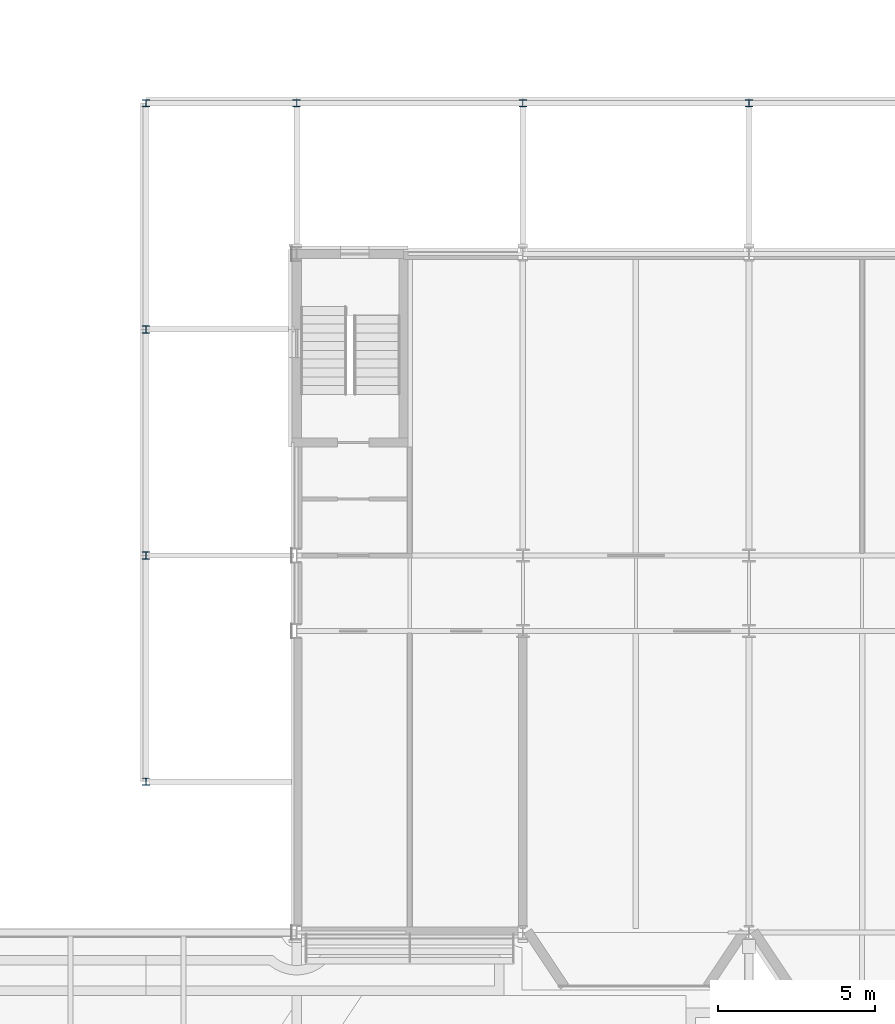
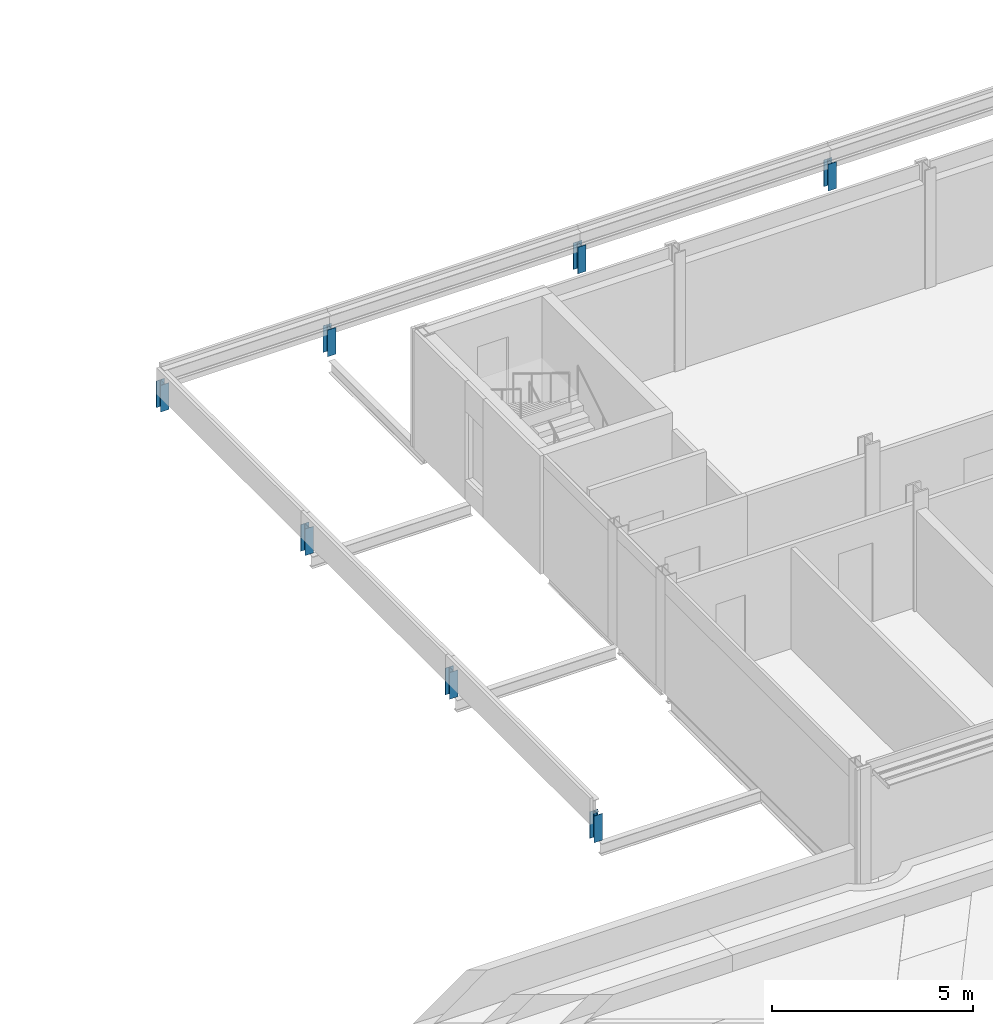
# One storey, part 18 of 110: 7 columns.
"""IFC4 building model written with IfcOpenShell, lengths in metres."""

import ifcopenshell
import ifcopenshell.guid

model = None  # the IFC model being written
_history = None  # IfcOwnerHistory: only IFC2X3 demands one
_inside = {}  # id of a spatial element -> (the spatial element, [elements in it])
_under = {}  # id of a project, library or spatial element -> (it, [spatial elements below it])
_declared = {}  # id of a project -> (the project, [libraries it declares])
_typed = {}  # id of a type object -> (the type object, [elements of that type])
_made_of = {}  # id of a material, layer set ... -> (it, [elements and type objects made of it])


def new_model(schema):
    """Start an empty IFC model of exactly this schema.

    Asked for "IFC4X3", IfcOpenShell would pick the latest addendum, in which some entities
    have other attributes; the version numbers below select the first issue.
    IFC2X3 requires an IfcOwnerHistory on every rooted entity: one is made here for all.
    """
    global model, _history
    if schema == "IFC4X3":
        model = ifcopenshell.file(schema_version=(4, 3, 0, 0))
    else:
        model = ifcopenshell.file(schema=schema)
    _inside.clear()
    _under.clear()
    _declared.clear()
    _typed.clear()
    _made_of.clear()
    _history = None
    if model.schema == "IFC2X3":
        org = make("IfcOrganization", Name="unknown")
        user = make(
            "IfcPersonAndOrganization",
            ThePerson=make("IfcPerson", FamilyName="unknown"),
            TheOrganization=org,
        )
        app = make(
            "IfcApplication",
            ApplicationDeveloper=org,
            Version="unknown",
            ApplicationFullName="unknown",
            ApplicationIdentifier="unknown",
        )
        _history = make(
            "IfcOwnerHistory",
            OwningUser=user,
            OwningApplication=app,
            ChangeAction="ADDED",
            CreationDate=0,
        )
    return model


def make(cls, **values):
    """One entity of the class cls with the attributes given. An attribute that is None is left unset."""
    return model.create_entity(
        cls, **{name: value for name, value in values.items() if value is not None}
    )


def rooted(cls, **values):
    """An entity with a GlobalId (a new one), such as an element, a storey or a relation."""
    return make(cls, GlobalId=ifcopenshell.guid.new(), OwnerHistory=_history, **values)


def si_unit(unit_type, name, prefix=None):
    """IfcSIUnit, for example si_unit("LENGTHUNIT", "METRE", prefix="MILLI")."""
    return make("IfcSIUnit", UnitType=unit_type, Prefix=prefix, Name=name)


def assignment(units):
    """IfcUnitAssignment: the units of a project."""
    return None if units is None else make("IfcUnitAssignment", Units=units)


def point(xyz):
    """IfcCartesianPoint."""
    return None if xyz is None else make("IfcCartesianPoint", Coordinates=xyz)


def direction(xyz):
    """IfcDirection."""
    return None if xyz is None else make("IfcDirection", DirectionRatios=xyz)


def frame(location, z_axis=None, x_axis=None):
    """IfcAxis2Placement3D, a coordinate frame: its origin and axes. An axis left out is left unset."""
    return make(
        "IfcAxis2Placement3D",
        Location=point(location),
        Axis=direction(z_axis),
        RefDirection=direction(x_axis),
    )


def frame_2d(location, x_axis=None):
    """IfcAxis2Placement2D, a coordinate frame in the plane: its origin and x axis."""
    return make(
        "IfcAxis2Placement2D", Location=point(location), RefDirection=direction(x_axis)
    )


def origin():
    """The frame at (0, 0, 0) with its axes left unset."""
    return frame((0.0, 0.0, 0.0))


def origin_2d():
    """The frame at (0, 0) in the plane with its x axis left unset."""
    return frame_2d((0.0, 0.0))


def place(relative_to, where):
    """IfcLocalPlacement: puts the frame where relative to a parent placement (None: the world)."""
    return make(
        "IfcLocalPlacement", PlacementRelTo=relative_to, RelativePlacement=where
    )


def context(
    kind, dimensions, precision=None, world=None, true_north=None, identifier=None
):
    """IfcGeometricRepresentationContext, for example the 3D "Model" context."""
    return make(
        "IfcGeometricRepresentationContext",
        ContextIdentifier=identifier,
        ContextType=kind,
        CoordinateSpaceDimension=dimensions,
        Precision=precision,
        WorldCoordinateSystem=world,
        TrueNorth=true_north,
    )


def subcontext(parent, identifier, kind, view, scale=None):
    """IfcGeometricRepresentationSubContext, for example "Body" below "Model"."""
    return make(
        "IfcGeometricRepresentationSubContext",
        ContextIdentifier=identifier,
        ContextType=kind,
        ParentContext=parent,
        TargetScale=scale,
        TargetView=view,
    )


def project(units=None, contexts=None):
    """IfcProject with its units and contexts."""
    return rooted(
        "IfcProject",
        Name="project",
        RepresentationContexts=contexts,
        UnitsInContext=assignment(units),
    )


def spatial(cls, under=None, at=None, **own):
    """A site, building, storey or space (cls), placed at a placement, below another one or the project."""
    s = rooted(cls, ObjectPlacement=at, **own)
    if under is not None:
        _under.setdefault(under.id(), (under, []))[1].append(s)
    return s


def profile(cls, at=None, kind="AREA", **sizes):
    """A parametric profile (cls). Its sizes go by their IFC names, for example OverallWidth=200.0."""
    return make(cls, ProfileType=kind, Position=at, **sizes)


def i_section(**sizes):
    """IfcIShapeProfileDef."""
    return profile("IfcIShapeProfileDef", **sizes)


def extrude(swept, where, along, depth):
    """IfcExtrudedAreaSolid: the profile swept, set in the frame where, extruded along a direction by depth."""
    return make(
        "IfcExtrudedAreaSolid",
        SweptArea=swept,
        Position=where,
        ExtrudedDirection=direction(along),
        Depth=depth,
    )


def shape(context_of_items, identifier, shape_type, items):
    """IfcShapeRepresentation: the items that make up one representation, for example the "Body"."""
    return make(
        "IfcShapeRepresentation",
        ContextOfItems=context_of_items,
        RepresentationIdentifier=identifier,
        RepresentationType=shape_type,
        Items=items,
    )


def material(Name=None, Category=None):
    """IfcMaterial."""
    return make("IfcMaterial", Name=Name, Category=Category)


def material_profile(
    of_material, cross_section, Name=None, Category=None, Priority=None
):
    """IfcMaterialProfile: a cross section and its material."""
    return make(
        "IfcMaterialProfile",
        Name=Name,
        Material=of_material,
        Profile=cross_section,
        Priority=Priority,
        Category=Category,
    )


def profile_set(profiles, Name=None, composite=None):
    """IfcMaterialProfileSet."""
    return make(
        "IfcMaterialProfileSet",
        Name=Name,
        MaterialProfiles=profiles,
        CompositeProfile=composite,
    )


def made_of(thing, what):
    """Note that an element or type object is made of a material, layer set ...; save() writes the relation."""
    if what is not None:
        _made_of.setdefault(what.id(), (what, []))[1].append(thing)
    return thing


def type_object(cls, material=None, **own):
    """A type object (cls), such as IfcWallType, which elements share."""
    return made_of(rooted(cls, **own), material)


def element(
    cls,
    number,
    at=None,
    inside=None,
    cuts=None,
    type_object=None,
    material=None,
    context=None,
    identifier="Body",
    shape_type=None,
    held_by="IfcProductDefinitionShape",
    body=None,
    shapes=None,
    **own,
):
    """One element of the class cls, such as IfcWall. Its Tag is "e" and its number.

    at: its placement. inside: the storey or other place that contains it. cuts: it is an
    opening in that element (IfcRelVoidsElement). A single representation is given by context,
    identifier, shape_type and body (its items); several are given by shapes. held_by: the class
    of the entity that holds the representations. save() writes the other relations.
    """
    e = rooted(cls, Tag="e%d" % number, ObjectPlacement=at, **own)
    if body is not None:
        shapes = [shape(context, identifier, shape_type, body)]
    if shapes is not None:
        e.Representation = make(held_by, Representations=shapes)
    if inside is not None:
        _inside.setdefault(inside.id(), (inside, []))[1].append(e)
    if cuts is not None:
        rooted(
            "IfcRelVoidsElement", RelatingBuildingElement=cuts, RelatedOpeningElement=e
        )
    if type_object is not None:
        _typed.setdefault(type_object.id(), (type_object, []))[1].append(e)
    return made_of(e, material)


def aggregate(whole, parts):
    """IfcRelAggregates: a whole, such as a stair, and the parts it consists of."""
    return rooted("IfcRelAggregates", RelatingObject=whole, RelatedObjects=parts)


def save(model, path):
    """Write the relations noted so far, then the file.

    IfcRelAggregates (storeys below a building ...), IfcRelContainedInSpatialStructure (elements
    in a storey), IfcRelDefinesByType, IfcRelAssociatesMaterial and IfcRelDeclares: one each for
    every whole, place, type object, material and project.
    """
    for whole, parts in _under.values():
        aggregate(whole, parts)
    for where, things in _inside.values():
        rooted(
            "IfcRelContainedInSpatialStructure",
            RelatedElements=things,
            RelatingStructure=where,
        )
    for kind, things in _typed.values():
        rooted("IfcRelDefinesByType", RelatedObjects=things, RelatingType=kind)
    for what, things in _made_of.values():
        rooted("IfcRelAssociatesMaterial", RelatedObjects=things, RelatingMaterial=what)
    for by, libraries in _declared.values():
        rooted("IfcRelDeclares", RelatingContext=by, RelatedDefinitions=libraries)
    model.write(path)


model = new_model("IFC4")

# Units and contexts
model_context = context("Model", 3, precision=1e-05, world=origin(), true_north=direction((0.0, 1.0)))
body_context = subcontext(model_context, "Body", "Model", "MODEL_VIEW")
ifc_project = project(units=[si_unit("LENGTHUNIT", "METRE"), si_unit("AREAUNIT", "SQUARE_METRE"), si_unit("VOLUMEUNIT", "CUBIC_METRE"), si_unit("PLANEANGLEUNIT", "RADIAN"), si_unit("MASSUNIT", "GRAM", prefix="KILO")], contexts=[model_context])

# Site, building, storey
site_placement = place(None, origin())
site = spatial("IfcSite", under=ifc_project, at=site_placement, CompositionType="ELEMENT")
building_placement = place(site_placement, origin())
building = spatial("IfcBuilding", under=site, at=building_placement, Name="Kupolbacken Congress Centre", CompositionType="ELEMENT")
storey_placement = place(building_placement, frame((0.0, 0.0, 18.0)))
storey = spatial("IfcBuildingStorey", under=building, at=storey_placement, Name="L05", CompositionType="ELEMENT", Elevation=18.0)

# Columns
ifc_material = material(Name="Steel S355", Category="steel")
ifc_material_profile = material_profile(ifc_material, i_section(OverallWidth=0.239990234375, OverallDepth=0.22998046875, WebThickness=0.007568359375, FlangeThickness=0.011962890625, FilletRadius=0.02099609375, at=origin_2d()), Name="HEA 240")
ifc_profile_set = profile_set([ifc_material_profile], Name="Steel S355")
column_type = type_object("IfcColumnType", Name="C10 column HEA 240", PredefinedType="COLUMN", material=ifc_profile_set)
for number, where, z_axis, x_axis, name in (
    (1, (60.0, 127.199951171875, 0.0), (0.0, 0.0, 1.0), (1.0, 0.0, 0.0), "E/T/portico/P/col60/L05"),
    (2, (60.0, 134.39990234375, 0.0), (0.0, 0.0, 1.0), (1.0, 0.0, 0.0), "E/T/portico/W/col134.4/L05"),
    (3, (60.0, 141.60009765625, 0.0), (0.0, 0.0, 1.0), (1.0, 0.0, 0.0), "E/T/portico/W/col141.6/L05"),
    (4, (60.0, 148.800048828125, 0.0), (0.0, 0.0, 1.0), (1.0, 0.0, 0.0), "E/T/portico/W/col148.8/L05"),
    (5, (64.800048828125, 148.800048828125, 0.0), (0.0, 0.0, 1.0), (1.0, 0.0, 0.0), "E/T/portico/N/col64.8/L05"),
    (6, (72.0, 148.800048828125, 0.0), (0.0, 0.0, 1.0), (1.0, 0.0, 0.0), "E/T/portico/N/col72/L05"),
    (7, (79.199951171875, 148.800048828125, 0.0), (0.0, 0.0, 1.0), (1.0, 0.0, 0.0), "E/T/portico/N/col79.2/L05"),
):
    element("IfcColumn", number, at=place(storey_placement, frame(where, z_axis=z_axis, x_axis=x_axis)), inside=storey, type_object=column_type, Name=name, PredefinedType="COLUMN", context=body_context, shape_type="SweptSolid", body=[
        extrude(i_section(OverallWidth=0.239990234375, OverallDepth=0.22998046875, WebThickness=0.007568359375, FlangeThickness=0.011962890625, FilletRadius=0.02099609375, at=origin_2d()), origin(), (0.0, 0.0, 1.0), 0.81005859375),
    ])

save(model, "model.ifc")
